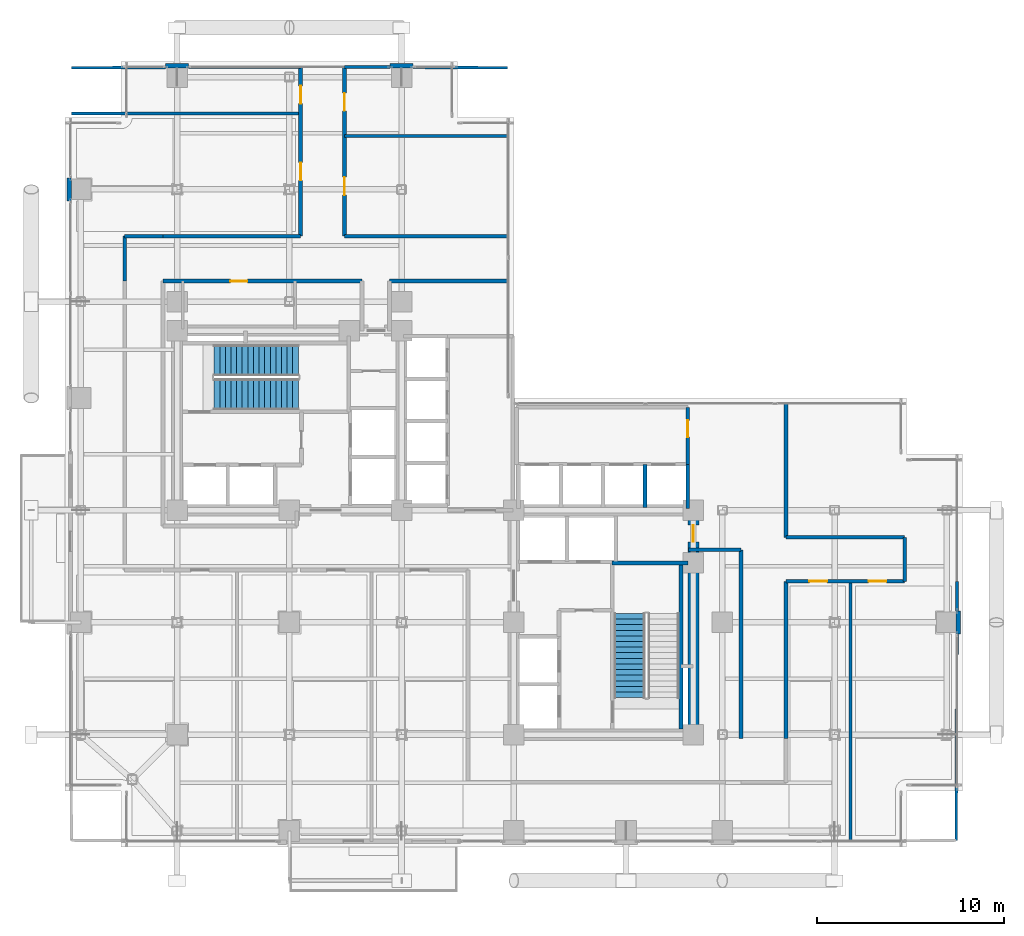
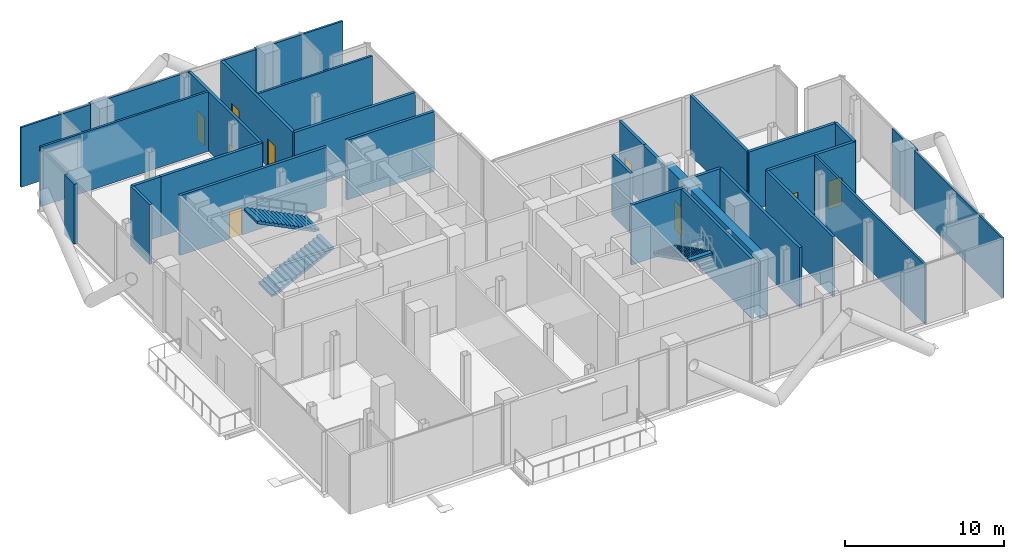
# One storey, part 20 of 25: 34 walls, 9 doors, 3 stair flights, 9 openings, 2 elements without a shape of their own.
"""IFC4 building model written with IfcOpenShell, lengths in metres."""

from ifc_helpers import new_model, si_unit, direction, frame, frame_2d, origin, place, context, subcontext, project, spatial, polyline, rectangle, outline, extrude, material, layer, layer_set, type_object, element, fill, aggregate, save


model = new_model("IFC4")

# Units and contexts
model_context = context("Model", 3, precision=1e-05, world=origin(), true_north=direction((0.0, 1.0)))
body_context = subcontext(model_context, "Body", "Model", "MODEL_VIEW")
ifc_project = project(units=[si_unit("LENGTHUNIT", "METRE"), si_unit("AREAUNIT", "SQUARE_METRE"), si_unit("VOLUMEUNIT", "CUBIC_METRE"), si_unit("PLANEANGLEUNIT", "RADIAN"), si_unit("MASSUNIT", "GRAM", prefix="KILO"), si_unit("THERMODYNAMICTEMPERATUREUNIT", "KELVIN"), si_unit("POWERUNIT", "WATT")], contexts=[model_context])

# Site, building, storey
site_placement = place(None, origin())
site = spatial("IfcSite", under=ifc_project, at=site_placement, CompositionType="ELEMENT")
building_placement = place(site_placement, origin())
building = spatial("IfcBuilding", under=site, at=building_placement, Name="Svarakhadi Broadcast Tower", CompositionType="ELEMENT")
storey_placement = place(building_placement, frame((0.0, 0.0, 110.85009765625)))
storey = spatial("IfcBuildingStorey", under=building, at=storey_placement, Name="L26", CompositionType="ELEMENT", Elevation=110.85009765625)

# Walls
ifc_material_1 = material(Name="Double-Stud Acoustic Studio Partition STC-62", Category="gypsum")
ifc_layer_1 = layer(ifc_material_1, 0.199951171875)
ifc_layer_set_1 = layer_set([ifc_layer_1], Name="Double-Stud Acoustic Studio Partition STC-62")
wall_type_1 = type_object("IfcWallType", Name="Wall_Acoust_200", PredefinedType="PARTITIONING", material=ifc_layer_set_1)
wall_1_placement = place(storey_placement, frame((36.14990234375, 5.800048828125, 0.0), z_axis=(0.0, 0.0, 1.0), x_axis=(0.0, 1.0, 0.0)))
element("IfcWall", 1, at=wall_1_placement, inside=storey, type_object=wall_type_1, Name="L26 Broadcast Corridor Wall", PredefinedType="PARTITIONING", context=body_context, shape_type="SweptSolid", body=[
    extrude(rectangle(XDim=10.079833984375, YDim=0.199951171875, at=frame_2d((5.0400390625, 0.0))), origin(), (0.0, 0.0, 1.0), 4.574951171875),
])
wall_2_placement = place(storey_placement, frame((36.14990234375, 15.8798828125, 0.0), z_axis=(0.0, 0.0, 1.0), x_axis=(-1.0, 0.0, 0.0)))
element("IfcWall", 2, at=wall_2_placement, inside=storey, type_object=wall_type_1, Name="L26 Broadcast Corridor Wall", PredefinedType="PARTITIONING", context=body_context, shape_type="SweptSolid", body=[
    extrude(rectangle(XDim=2.809814453125, YDim=0.199951171875, at=frame_2d((1.40478515625, 0.0))), origin(), (0.0, 0.0, 1.0), 4.574951171875),
])
wall_3_placement = place(storey_placement, frame((38.550048828125, 23.699951171875, 0.0), z_axis=(0.0, 0.0, 1.0), x_axis=(0.0, -1.0, 0.0)))
element("IfcWall", 3, at=wall_3_placement, inside=storey, type_object=wall_type_1, Name="L26 Broadcast Corridor Wall", PredefinedType="PARTITIONING", context=body_context, shape_type="SweptSolid", body=[
    extrude(rectangle(XDim=7.14990234375, YDim=0.199951171875, at=frame_2d((3.574951171875, 0.0))), origin(), (0.0, 0.0, 1.0), 4.574951171875),
])
wall_4_placement = place(storey_placement, frame((38.550048828125, 16.550048828125, 0.0), z_axis=(0.0, 0.0, 1.0), x_axis=(1.0, 0.0, 0.0)))
element("IfcWall", 4, at=wall_4_placement, inside=storey, type_object=wall_type_1, Name="L26 Broadcast Corridor Wall", PredefinedType="PARTITIONING", context=body_context, shape_type="SweptSolid", body=[
    extrude(rectangle(XDim=6.349853515625, YDim=0.199951171875, at=frame_2d((3.1748046875, 0.0))), origin(), (0.0, 0.0, 1.0), 4.574951171875),
])
wall_5_placement = place(storey_placement, frame((44.89990234375, 16.550048828125, 0.0), z_axis=(0.0, 0.0, 1.0), x_axis=(0.0, -1.0, 0.0)))
element("IfcWall", 5, at=wall_5_placement, inside=storey, type_object=wall_type_1, Name="L26 Broadcast Corridor Wall", PredefinedType="PARTITIONING", context=body_context, shape_type="SweptSolid", body=[
    extrude(rectangle(XDim=2.35009765625, YDim=0.199951171875, at=frame_2d((1.175048828125, 0.0))), origin(), (0.0, 0.0, 1.0), 4.574951171875),
])

# Wall, openings, doors
wall_6_placement = place(storey_placement, frame((44.89990234375, 14.199951171875, 0.0), z_axis=(0.0, 0.0, 1.0), x_axis=(-1.0, 0.0, 0.0)))
wall_6 = element("IfcWall", 6, at=wall_6_placement, inside=storey, type_object=wall_type_1, Name="L26 Broadcast Corridor Wall", PredefinedType="PARTITIONING", context=body_context, shape_type="SweptSolid", body=[
    extrude(rectangle(XDim=6.349853515625, YDim=0.199951171875, at=frame_2d((3.1748046875, 0.0))), origin(), (0.0, 0.0, 1.0), 4.574951171875),
])
opening_1_placement = place(wall_6_placement, frame((4.14990234375, 0.0, 0.0)))
opening_1 = element("IfcOpeningElement", 7, at=opening_1_placement, cuts=wall_6, Name="Opening D-06", PredefinedType="OPENING", context=body_context, shape_type="SweptSolid", body=[
    extrude(rectangle(XDim=0.949951171875, YDim=2.14990234375, at=frame_2d((0.47509765625, 1.074951171875))), frame((0.0, 0.10986328125, 0.0), z_axis=(0.0, -1.0, 0.0), x_axis=(1.0, 0.0, 0.0)), (0.0, 0.0, 1.0), 0.219970703125),
])
opening_2_placement = place(wall_6_placement, frame((0.97509765625, 0.0, 0.0)))
opening_2 = element("IfcOpeningElement", 8, at=opening_2_placement, cuts=wall_6, Name="Opening D-07", PredefinedType="OPENING", context=body_context, shape_type="SweptSolid", body=[
    extrude(rectangle(XDim=0.949951171875, YDim=2.14990234375, at=frame_2d((0.47509765625, 1.074951171875))), frame((0.0, 0.10986328125, 0.0), z_axis=(0.0, -1.0, 0.0), x_axis=(1.0, 0.0, 0.0)), (0.0, 0.0, 1.0), 0.219970703125),
])
ifc_material_2 = material(Name="Solid-Core Teak Veneer Acoustic Timber Leaf", Category="wood")
door_type_1 = type_object("IfcDoorType", Name="Door_Office_D06", OperationType="SINGLE_SWING_LEFT", PredefinedType="DOOR", material=ifc_material_2)
door_1_placement = place(opening_1_placement, origin())
door_1 = element("IfcDoor", 9, at=door_1_placement, inside=storey, type_object=door_type_1, Name="L26 L26 Broadcast Press Town-Hall Room Door", OperationType="SINGLE_SWING_LEFT", OverallHeight=2.14990234375, OverallWidth=0.949951171875, PredefinedType="DOOR", context=body_context, shape_type="SweptSolid", body=[
    extrude(rectangle(XDim=0.949951171875, YDim=2.14990234375, at=frame_2d((0.47509765625, 1.074951171875))), frame((0.0, 0.02490234375, 0.0), z_axis=(0.0, -1.0, 0.0), x_axis=(1.0, 0.0, 0.0)), (0.0, 0.0, 1.0), 0.050048828125),
])
fill(opening_1, door_1)
door_type_2 = type_object("IfcDoorType", Name="Door_Office_D07", OperationType="SINGLE_SWING_RIGHT", PredefinedType="DOOR", material=ifc_material_2)
door_2_placement = place(opening_2_placement, origin())
door_2 = element("IfcDoor", 10, at=door_2_placement, inside=storey, type_object=door_type_2, Name="L26 L26 Catering Preparation Kitchen Door", OperationType="SINGLE_SWING_RIGHT", OverallHeight=2.14990234375, OverallWidth=0.949951171875, PredefinedType="DOOR", context=body_context, shape_type="SweptSolid", body=[
    extrude(rectangle(XDim=0.949951171875, YDim=2.14990234375, at=frame_2d((0.47509765625, 1.074951171875))), frame((0.0, 0.02490234375, 0.0), z_axis=(0.0, -1.0, 0.0), x_axis=(1.0, 0.0, 0.0)), (0.0, 0.0, 1.0), 0.050048828125),
])
fill(opening_2, door_2)

# Walls
wall_7_placement = place(storey_placement, frame((38.550048828125, 14.199951171875, 0.0), z_axis=(0.0, 0.0, 1.0), x_axis=(0.0, -1.0, 0.0)))
element("IfcWall", 11, at=wall_7_placement, inside=storey, type_object=wall_type_1, Name="L26 Broadcast Corridor Wall", PredefinedType="PARTITIONING", context=body_context, shape_type="SweptSolid", body=[
    extrude(rectangle(XDim=8.39990234375, YDim=0.199951171875, at=frame_2d((4.199951171875, 0.0))), origin(), (0.0, 0.0, 1.0), 4.574951171875),
])
wall_8_placement = place(storey_placement, frame((3.199951171875, 30.25, 0.0), z_axis=(0.0, 0.0, 1.0), x_axis=(0.0, 1.0, 0.0)))
element("IfcWall", 12, at=wall_8_placement, inside=storey, type_object=wall_type_1, Name="L26 Broadcast Corridor Wall", PredefinedType="PARTITIONING", context=body_context, shape_type="SweptSolid", body=[
    extrude(rectangle(XDim=2.39990234375, YDim=0.199951171875, at=frame_2d((1.199951171875, 0.0))), origin(), (0.0, 0.0, 1.0), 4.574951171875),
])
wall_9_placement = place(storey_placement, frame((3.199951171875, 32.64990234375, 0.0), z_axis=(0.0, 0.0, 1.0), x_axis=(1.0, 0.0, 0.0)))
element("IfcWall", 13, at=wall_9_placement, inside=storey, type_object=wall_type_1, Name="L26 Broadcast Corridor Wall", PredefinedType="PARTITIONING", context=body_context, shape_type="SweptSolid", body=[
    extrude(rectangle(XDim=2.050048828125, YDim=0.199951171875, at=frame_2d((1.02490234375, 0.0))), origin(), (0.0, 0.0, 1.0), 4.574951171875),
])
wall_10_placement = place(storey_placement, frame((5.25, 32.64990234375, 0.0), z_axis=(0.0, 0.0, 1.0), x_axis=(1.0, 0.0, 0.0)))
element("IfcWall", 14, at=wall_10_placement, inside=storey, type_object=wall_type_1, Name="L26 Broadcast Corridor Wall", PredefinedType="PARTITIONING", context=body_context, shape_type="SweptSolid", body=[
    extrude(rectangle(XDim=7.35009765625, YDim=0.199951171875, at=frame_2d((3.675048828125, 0.0))), origin(), (0.0, 0.0, 1.0), 4.574951171875),
])

# Wall, openings, doors
wall_11_placement = place(storey_placement, frame((12.60009765625, 32.64990234375, 0.0), z_axis=(0.0, 0.0, 1.0), x_axis=(0.0, 1.0, 0.0)))
wall_11 = element("IfcWall", 15, at=wall_11_placement, inside=storey, type_object=wall_type_1, Name="L26 Broadcast Corridor Wall", PredefinedType="PARTITIONING", context=body_context, shape_type="SweptSolid", body=[
    extrude(rectangle(XDim=9.050048828125, YDim=0.199951171875, at=frame_2d((4.52490234375, 0.0))), origin(), (0.0, 0.0, 1.0), 4.574951171875),
])
opening_3_placement = place(wall_11_placement, frame((2.97998046875, 0.0, 0.0)))
opening_3 = element("IfcOpeningElement", 16, at=opening_3_placement, cuts=wall_11, Name="Opening D-07", PredefinedType="OPENING", context=body_context, shape_type="SweptSolid", body=[
    extrude(rectangle(XDim=0.949951171875, YDim=2.14990234375, at=frame_2d((0.47509765625, 1.074951171875))), frame((0.0, 0.10986328125, 0.0), z_axis=(0.0, -1.0, 0.0), x_axis=(1.0, 0.0, 0.0)), (0.0, 0.0, 1.0), 0.219970703125),
])
opening_4_placement = place(wall_11_placement, frame((7.080078125, 0.0, 0.0)))
opening_4 = element("IfcOpeningElement", 17, at=opening_4_placement, cuts=wall_11, Name="Opening D-06", PredefinedType="OPENING", context=body_context, shape_type="SweptSolid", body=[
    extrude(rectangle(XDim=0.949951171875, YDim=2.14990234375, at=frame_2d((0.47509765625, 1.074951171875))), frame((0.0, 0.10986328125, 0.0), z_axis=(0.0, -1.0, 0.0), x_axis=(1.0, 0.0, 0.0)), (0.0, 0.0, 1.0), 0.219970703125),
])
door_3_placement = place(opening_4_placement, origin())
door_3 = element("IfcDoor", 18, at=door_3_placement, inside=storey, type_object=door_type_1, Name="L26 L26 Broadcast Operations Office Door", OperationType="SINGLE_SWING_LEFT", OverallHeight=2.14990234375, OverallWidth=0.949951171875, PredefinedType="DOOR", context=body_context, shape_type="SweptSolid", body=[
    extrude(rectangle(XDim=0.949951171875, YDim=2.14990234375, at=frame_2d((0.47509765625, 1.074951171875))), frame((0.0, 0.02490234375, 0.0), z_axis=(0.0, -1.0, 0.0), x_axis=(1.0, 0.0, 0.0)), (0.0, 0.0, 1.0), 0.050048828125),
])
fill(opening_4, door_3)
door_4_placement = place(opening_3_placement, origin())
door_4 = element("IfcDoor", 19, at=door_4_placement, inside=storey, type_object=door_type_2, Name="L26 L26 Staff Wellness Quiet Lounge Door", OperationType="SINGLE_SWING_RIGHT", OverallHeight=2.14990234375, OverallWidth=0.949951171875, PredefinedType="DOOR", context=body_context, shape_type="SweptSolid", body=[
    extrude(rectangle(XDim=0.949951171875, YDim=2.14990234375, at=frame_2d((0.47509765625, 1.074951171875))), frame((0.0, 0.02490234375, 0.0), z_axis=(0.0, -1.0, 0.0), x_axis=(1.0, 0.0, 0.0)), (0.0, 0.0, 1.0), 0.050048828125),
])
fill(opening_3, door_4)

wall_12_placement = place(storey_placement, frame((14.949951171875, 41.699951171875, 0.0), z_axis=(0.0, 0.0, 1.0), x_axis=(0.0, -1.0, 0.0)))
wall_12 = element("IfcWall", 20, at=wall_12_placement, inside=storey, type_object=wall_type_1, Name="L26 Broadcast Corridor Wall", PredefinedType="PARTITIONING", context=body_context, shape_type="SweptSolid", body=[
    extrude(rectangle(XDim=9.050048828125, YDim=0.199951171875, at=frame_2d((4.52490234375, 0.0))), origin(), (0.0, 0.0, 1.0), 4.574951171875),
])
opening_5_placement = place(wall_12_placement, frame((5.89990234375, 0.0, 0.0)))
opening_5 = element("IfcOpeningElement", 21, at=opening_5_placement, cuts=wall_12, Name="Opening D-07", PredefinedType="OPENING", context=body_context, shape_type="SweptSolid", body=[
    extrude(rectangle(XDim=0.949951171875, YDim=2.14990234375, at=frame_2d((0.47509765625, 1.074951171875))), frame((0.0, 0.10986328125, 0.0), z_axis=(0.0, -1.0, 0.0), x_axis=(1.0, 0.0, 0.0)), (0.0, 0.0, 1.0), 0.219970703125),
])
opening_6_placement = place(wall_12_placement, frame((1.39990234375, 0.0, 0.0)))
opening_6 = element("IfcOpeningElement", 22, at=opening_6_placement, cuts=wall_12, Name="Opening D-06", PredefinedType="OPENING", context=body_context, shape_type="SweptSolid", body=[
    extrude(rectangle(XDim=0.949951171875, YDim=2.14990234375, at=frame_2d((0.47509765625, 1.074951171875))), frame((0.0, 0.10986328125, 0.0), z_axis=(0.0, -1.0, 0.0), x_axis=(1.0, 0.0, 0.0)), (0.0, 0.0, 1.0), 0.219970703125),
])
door_5_placement = place(opening_6_placement, origin())
door_5 = element("IfcDoor", 23, at=door_5_placement, inside=storey, type_object=door_type_1, Name="L26 L26 Sky-Lobby Guest Services Office Door", OperationType="SINGLE_SWING_LEFT", OverallHeight=2.14990234375, OverallWidth=0.949951171875, PredefinedType="DOOR", context=body_context, shape_type="SweptSolid", body=[
    extrude(rectangle(XDim=0.949951171875, YDim=2.14990234375, at=frame_2d((0.47509765625, 1.074951171875))), frame((0.0, 0.02490234375, 0.0), z_axis=(0.0, -1.0, 0.0), x_axis=(1.0, 0.0, 0.0)), (0.0, 0.0, 1.0), 0.050048828125),
])
fill(opening_6, door_5)
door_6_placement = place(opening_5_placement, origin())
door_6 = element("IfcDoor", 24, at=door_6_placement, inside=storey, type_object=door_type_2, Name="L26 L26 Executive Briefing Room Door", OperationType="SINGLE_SWING_RIGHT", OverallHeight=2.14990234375, OverallWidth=0.949951171875, PredefinedType="DOOR", context=body_context, shape_type="SweptSolid", body=[
    extrude(rectangle(XDim=0.949951171875, YDim=2.14990234375, at=frame_2d((0.47509765625, 1.074951171875))), frame((0.0, 0.02490234375, 0.0), z_axis=(0.0, -1.0, 0.0), x_axis=(1.0, 0.0, 0.0)), (0.0, 0.0, 1.0), 0.050048828125),
])
fill(opening_5, door_6)

# Walls
wall_13_placement = place(storey_placement, frame((14.949951171875, 32.64990234375, 0.0), z_axis=(0.0, 0.0, 1.0), x_axis=(1.0, 0.0, 0.0)))
element("IfcWall", 25, at=wall_13_placement, inside=storey, type_object=wall_type_1, Name="L26 Broadcast Corridor Wall", PredefinedType="PARTITIONING", context=body_context, shape_type="SweptSolid", body=[
    extrude(rectangle(XDim=8.75, YDim=0.199951171875, at=frame_2d((4.375, 0.0))), origin(), (0.0, 0.0, 1.0), 4.574951171875),
])
wall_14_placement = place(storey_placement, frame((23.699951171875, 30.25, 0.0), z_axis=(0.0, 0.0, 1.0), x_axis=(-1.0, 0.0, 0.0)))
element("IfcWall", 26, at=wall_14_placement, inside=storey, type_object=wall_type_1, Name="L26 Broadcast Corridor Wall", PredefinedType="PARTITIONING", context=body_context, shape_type="SweptSolid", body=[
    extrude(rectangle(XDim=6.349853515625, YDim=0.199951171875, at=frame_2d((3.1748046875, 0.0))), origin(), (0.0, 0.0, 1.0), 4.574951171875),
])

# Wall, opening, door
wall_15_placement = place(storey_placement, frame((15.8798828125, 30.25, 0.0), z_axis=(0.0, 0.0, 1.0), x_axis=(-1.0, 0.0, 0.0)))
wall_15 = element("IfcWall", 27, at=wall_15_placement, inside=storey, type_object=wall_type_1, Name="L26 Broadcast Corridor Wall", PredefinedType="PARTITIONING", context=body_context, shape_type="SweptSolid", body=[
    extrude(rectangle(XDim=10.6298828125, YDim=0.199951171875, at=frame_2d((5.31494140625, 0.0))), origin(), (0.0, 0.0, 1.0), 4.574951171875),
])
opening_7_placement = place(wall_15_placement, frame((6.1298828125, 0.0, 0.0)))
opening_7 = element("IfcOpeningElement", 28, at=opening_7_placement, cuts=wall_15, Name="Opening D-13", PredefinedType="OPENING", context=body_context, shape_type="SweptSolid", body=[
    extrude(rectangle(XDim=0.89990234375, YDim=2.10009765625, at=frame_2d((0.449951171875, 1.050048828125))), frame((0.0, 0.10986328125, 0.0), z_axis=(0.0, -1.0, 0.0), x_axis=(1.0, 0.0, 0.0)), (0.0, 0.0, 1.0), 0.219970703125),
])
door_type_3 = type_object("IfcDoorType", Name="Door_Closet_D13", OperationType="SINGLE_SWING_RIGHT", PredefinedType="DOOR", material=ifc_material_2)
door_7_placement = place(opening_7_placement, origin())
door_7 = element("IfcDoor", 29, at=door_7_placement, inside=storey, type_object=door_type_3, Name="L26 Accessible Toilet WC Door", OperationType="SINGLE_SWING_RIGHT", OverallHeight=2.10009765625, OverallWidth=0.89990234375, PredefinedType="DOOR", context=body_context, shape_type="SweptSolid", body=[
    extrude(rectangle(XDim=0.89990234375, YDim=2.10009765625, at=frame_2d((0.449951171875, 1.050048828125))), frame((0.0, 0.02490234375, 0.0), z_axis=(0.0, -1.0, 0.0), x_axis=(1.0, 0.0, 0.0)), (0.0, 0.0, 1.0), 0.050048828125),
])
fill(opening_7, door_7)

# Walls
ifc_material_3 = material(Name="Concrete C40/50 (IS 456 M50)", Category="concrete")
ifc_layer_2 = layer(ifc_material_3, 0.239990234375)
ifc_layer_set_2 = layer_set([ifc_layer_2], Name="Concrete C40/50 (IS 456 M50)")
wall_type_2 = type_object("IfcWallType", Name="Wall_Ext_240", PredefinedType="SOLIDWALL", material=ifc_layer_set_2)
for number, where, z_axis, x_axis, name in (
    (30, (0.239990234375, 34.534912109375, 0.0), (0.0, 0.0, 1.0), (0.0, 1.0, 0.0), "L26 Perimeter Bronze Spandrel Closure Wall 03"),
    (31, (5.385009765625, 41.760009765625, 0.0), (0.0, 0.0, 1.0), (1.0, 0.0, 0.0), "L26 Perimeter Bronze Spandrel Closure Wall 04"),
    (32, (17.385009765625, 41.760009765625, 0.0), (0.0, 0.0, 1.0), (1.0, 0.0, 0.0), "L26 Perimeter Bronze Spandrel Closure Wall 05"),
    (33, (47.760009765625, 12.614990234375, 0.0), (0.0, 0.0, 1.0), (0.0, -1.0, 0.0), "L26 Perimeter Bronze Spandrel Closure Wall 06"),
):
    element("IfcWall", number, at=place(storey_placement, frame(where, z_axis=z_axis, x_axis=x_axis)), inside=storey, type_object=wall_type_2, Name=name, PredefinedType="SOLIDWALL", context=body_context, shape_type="SweptSolid", body=[
        extrude(rectangle(XDim=1.22998046875, YDim=0.239990234375, at=frame_2d((0.614990234375, 0.0))), origin(), (0.0, 0.0, 1.0), 4.574951171875),
    ])
ifc_material_4 = material(Name="Autoclaved Aerated Concrete Blockwork 150 mm", Category="masonry")
ifc_layer_3 = layer(ifc_material_4, 0.14990234375)
ifc_layer_set_3 = layer_set([ifc_layer_3], Name="Autoclaved Aerated Concrete Blockwork 150 mm")
wall_type_3 = type_object("IfcWallType", Name="Wall_Part_150", PredefinedType="PARTITIONING", material=ifc_layer_set_3)
wall_16_placement = place(storey_placement, frame((42.0, 0.300048828125, 0.0), z_axis=(0.0, 0.0, 1.0), x_axis=(0.0, 1.0, 0.0)))
element("IfcWall", 34, at=wall_16_placement, inside=storey, type_object=wall_type_3, Name="L26 L26 Broadcast Press Town-Hall Room Wall", PredefinedType="PARTITIONING", context=body_context, shape_type="SweptSolid", body=[
    extrude(rectangle(XDim=13.89990234375, YDim=0.14990234375, at=frame_2d((6.949951171875, 0.0))), origin(), (0.0, 0.0, 1.0), 4.574951171875),
])
wall_17_placement = place(storey_placement, frame((47.64990234375, 0.35009765625, 0.0), z_axis=(0.0, 0.0, 1.0), x_axis=(0.003606251025, 0.999993497456, 0.0)))
element("IfcWall", 35, at=wall_17_placement, inside=storey, type_object=wall_type_3, Name="L26 L26 Catering Preparation Kitchen Wall", PredefinedType="PARTITIONING", context=body_context, shape_type="SweptSolid", body=[
    extrude(rectangle(XDim=11.034912109375, YDim=0.14990234375, at=frame_2d((5.517578125, 0.0))), origin(), (0.0, 0.0, 1.0), 4.574951171875),
])
wall_18_placement = place(storey_placement, frame((47.6943359375, 12.614990234375, 0.0), z_axis=(0.0, 0.0, 1.0), x_axis=(0.003542799701, 0.999993724265, 0.0)))
element("IfcWall", 36, at=wall_18_placement, inside=storey, type_object=wall_type_3, Name="L26 L26 Catering Preparation Kitchen Wall", PredefinedType="PARTITIONING", context=body_context, shape_type="SweptSolid", body=[
    extrude(rectangle(XDim=1.5849609375, YDim=0.14990234375, at=frame_2d((0.79248046875, 0.0))), origin(), (0.0, 0.0, 1.0), 4.574951171875),
])
wall_19_placement = place(storey_placement, frame((0.35009765625, 39.199951171875, 0.0), z_axis=(0.0, 0.0, 1.0), x_axis=(1.0, 0.0, 0.0)))
element("IfcWall", 37, at=wall_19_placement, inside=storey, type_object=wall_type_3, Name="L26 L26 Staff Wellness Quiet Lounge Wall", PredefinedType="PARTITIONING", context=body_context, shape_type="SweptSolid", body=[
    extrude(rectangle(XDim=12.25, YDim=0.14990234375, at=frame_2d((6.125, 0.0))), origin(), (0.0, 0.0, 1.0), 4.574951171875),
])
wall_20_placement = place(storey_placement, frame((0.35009765625, 41.64990234375, 0.0), z_axis=(0.0, 0.0, 1.0), x_axis=(0.999991506266, 0.004121576785, 0.0)))
element("IfcWall", 38, at=wall_20_placement, inside=storey, type_object=wall_type_3, Name="L26 L26 Broadcast Operations Office Wall", PredefinedType="PARTITIONING", context=body_context, shape_type="SweptSolid", body=[
    extrude(rectangle(XDim=5.034912109375, YDim=0.14990234375, at=frame_2d((2.517578125, 0.0))), origin(), (0.0, 0.0, 1.0), 4.574951171875),
])
wall_21_placement = place(storey_placement, frame((6.614990234375, 41.675537109375, 0.0), z_axis=(0.0, 0.0, 1.0), x_axis=(0.999991680432, 0.004079101287, 0.0)))
element("IfcWall", 39, at=wall_21_placement, inside=storey, type_object=wall_type_3, Name="L26 L26 Broadcast Operations Office Wall", PredefinedType="PARTITIONING", context=body_context, shape_type="SweptSolid", body=[
    extrude(rectangle(XDim=5.985107421875, YDim=0.14990234375, at=frame_2d((2.99267578125, 0.0))), origin(), (0.0, 0.0, 1.0), 4.574951171875),
])
wall_22_placement = place(storey_placement, frame((14.949951171875, 38.0, 0.0), z_axis=(0.0, 0.0, 1.0), x_axis=(1.0, 0.0, 0.0)))
element("IfcWall", 40, at=wall_22_placement, inside=storey, type_object=wall_type_3, Name="L26 L26 Executive Briefing Room Wall", PredefinedType="PARTITIONING", context=body_context, shape_type="SweptSolid", body=[
    extrude(rectangle(XDim=8.75, YDim=0.14990234375, at=frame_2d((4.375, 0.0))), origin(), (0.0, 0.0, 1.0), 4.116943359375),
])
wall_23_placement = place(storey_placement, frame((14.949951171875, 41.699951171875, 0.0), z_axis=(0.0, 0.0, 1.0), x_axis=(0.999983670595, -0.005714765312, 0.0)))
element("IfcWall", 41, at=wall_23_placement, inside=storey, type_object=wall_type_3, Name="L26 L26 Sky-Lobby Guest Services Office Wall", PredefinedType="PARTITIONING", context=body_context, shape_type="SweptSolid", body=[
    extrude(rectangle(XDim=2.43505859375, YDim=0.14990234375, at=frame_2d((1.217529296875, 0.0))), origin(), (0.0, 0.0, 1.0), 4.574951171875),
])
wall_24_placement = place(storey_placement, frame((18.614990234375, 41.678955078125, 0.0), z_axis=(0.0, 0.0, 1.0), x_axis=(0.999983352486, -0.005770160449, 0.0)))
element("IfcWall", 42, at=wall_24_placement, inside=storey, type_object=wall_type_3, Name="L26 L26 Sky-Lobby Guest Services Office Wall", PredefinedType="PARTITIONING", context=body_context, shape_type="SweptSolid", body=[
    extrude(rectangle(XDim=5.034912109375, YDim=0.14990234375, at=frame_2d((2.517578125, 0.0))), origin(), (0.0, 0.0, 1.0), 4.574951171875),
])
ifc_material_5 = material(Name="Concrete C50/60 (IS 456 M60)", Category="concrete")
ifc_layer_4 = layer(ifc_material_5, 0.199951171875)
ifc_layer_set_4 = layer_set([ifc_layer_4], Name="Concrete C50/60 (IS 456 M60)")
wall_type_4 = type_object("IfcWallType", Name="Wall_Shear_200", PredefinedType="SHEAR", material=ifc_layer_set_4)
wall_25_placement = place(storey_placement, frame((32.93994140625, 6.300048828125, 0.0), z_axis=(0.0, 0.0, 1.0), x_axis=(0.0, 1.0, 0.0)))
element("IfcWall", 43, at=wall_25_placement, inside=storey, type_object=wall_type_4, Name="L26 Stair ST-02 East RC Shaft Wall", PredefinedType="SHEAR", context=body_context, shape_type="SweptSolid", body=[
    extrude(rectangle(XDim=8.8798828125, YDim=0.199951171875, at=frame_2d((4.43994140625, 0.0))), origin(), (0.0, 0.0, 1.0), 4.574951171875),
])
wall_26_placement = place(storey_placement, frame((29.260009765625, 15.179931640625, 0.0), z_axis=(0.0, 0.0, 1.0), x_axis=(1.0, 0.0, 0.0)))
element("IfcWall", 44, at=wall_26_placement, inside=storey, type_object=wall_type_4, Name="L26 Stair ST-02 North RC Shaft Wall", PredefinedType="SHEAR", context=body_context, shape_type="SweptSolid", body=[
    extrude(rectangle(XDim=4.0400390625, YDim=0.199951171875, at=frame_2d((2.02001953125, 0.0))), origin(), (0.0, 0.0, 1.0), 4.574951171875),
])
wall_27_placement = place(storey_placement, frame((33.300048828125, 18.10009765625, 0.0), z_axis=(0.0, 0.0, 1.0), x_axis=(0.0, 1.0, 0.0)))
element("IfcWall", 45, at=wall_27_placement, inside=storey, type_object=wall_type_4, Name="L26 Bank B East Shaft Wall", PredefinedType="SHEAR", context=body_context, shape_type="SweptSolid", body=[
    extrude(rectangle(XDim=2.349853515625, YDim=0.199951171875, at=frame_2d((1.1748046875, 0.0))), origin(), (0.0, 0.0, 1.0), 4.574951171875),
])
wall_28_placement = place(storey_placement, frame((31.02001953125, 18.14990234375, 0.0), z_axis=(0.0, 0.0, 1.0), x_axis=(0.0, 1.0, 0.0)))
element("IfcWall", 46, at=wall_28_placement, inside=storey, type_object=wall_type_4, Name="L26 Bank B Divider", PredefinedType="SHEAR", context=body_context, shape_type="SweptSolid", body=[
    extrude(rectangle(XDim=2.300048828125, YDim=0.199951171875, at=frame_2d((1.14990234375, 0.0))), origin(), (0.0, 0.0, 1.0), 4.574951171875),
])

# Wall, opening, door
wall_29_placement = place(storey_placement, frame((33.300048828125, 20.449951171875, 0.0), z_axis=(0.0, 0.0, 1.0), x_axis=(0.0, 1.0, 0.0)))
wall_29 = element("IfcWall", 47, at=wall_29_placement, inside=storey, type_object=wall_type_4, Name="L26 Bank B Lift Hall East Wall", PredefinedType="SHEAR", context=body_context, shape_type="SweptSolid", body=[
    extrude(rectangle(XDim=3.050048828125, YDim=0.199951171875, at=frame_2d((1.52490234375, 0.0))), origin(), (0.0, 0.0, 1.0), 4.574951171875),
])
opening_8_placement = place(wall_29_placement, frame((1.449951171875, 0.0, 0.0)))
opening_8 = element("IfcOpeningElement", 48, at=opening_8_placement, cuts=wall_29, Name="Opening D-04", PredefinedType="OPENING", context=body_context, shape_type="SweptSolid", body=[
    extrude(rectangle(XDim=0.89990234375, YDim=2.14990234375, at=frame_2d((0.449951171875, 1.074951171875))), frame((0.0, 0.10986328125, 0.0), z_axis=(0.0, -1.0, 0.0), x_axis=(1.0, 0.0, 0.0)), (0.0, 0.0, 1.0), 0.219970703125),
])
ifc_material_6 = material(Name="Galvanised Powder-Coated Fire-Rated Steel Leaf", Category="steel")
door_type_4 = type_object("IfcDoorType", Name="Door_Fire_D04", OperationType="SINGLE_SWING_RIGHT", PredefinedType="DOOR", material=ifc_material_6)
door_8_placement = place(opening_8_placement, origin())
door_8 = element("IfcDoor", 49, at=door_8_placement, inside=storey, type_object=door_type_4, Name="L26 Mid-Rise Lift Hall East Corridor Door", OperationType="SINGLE_SWING_RIGHT", OverallHeight=2.14990234375, OverallWidth=0.89990234375, PredefinedType="DOOR", context=body_context, shape_type="SweptSolid", body=[
    extrude(rectangle(XDim=0.89990234375, YDim=2.14990234375, at=frame_2d((0.449951171875, 1.074951171875))), frame((0.0, 0.02490234375, 0.0), z_axis=(0.0, -1.0, 0.0), x_axis=(1.0, 0.0, 0.0)), (0.0, 0.0, 1.0), 0.050048828125),
])
fill(opening_8, door_8)

ifc_material_7 = material(Name="Concrete C60/75 (IS 456 M70)", Category="concrete")
ifc_layer_5 = layer(ifc_material_7, 0.60009765625)
ifc_layer_set_5 = layer_set([ifc_layer_5], Name="Concrete C60/75 (IS 456 M70)")
wall_type_5 = type_object("IfcWallType", Name="Wall_Shear_600", PredefinedType="SHEAR", material=ifc_layer_set_5)
wall_30_placement = place(storey_placement, frame((33.60009765625, 6.0, 0.0), z_axis=(0.0, 0.0, 1.0), x_axis=(0.0, 1.0, 0.0)))
wall_30 = element("IfcWall", 50, at=wall_30_placement, inside=storey, type_object=wall_type_5, Name="L26 East Core East Shear Wall", PredefinedType="SHEAR", context=body_context, shape_type="SweptSolid", body=[
    extrude(rectangle(XDim=12.0, YDim=0.60009765625, at=frame_2d((6.0, 0.0))), origin(), (0.0, 0.0, 1.0), 4.574951171875),
])
opening_9_placement = place(wall_30_placement, frame((10.300048828125, 0.0, 0.0)))
opening_9 = element("IfcOpeningElement", 51, at=opening_9_placement, cuts=wall_30, Name="Opening D-03", PredefinedType="OPENING", context=body_context, shape_type="SweptSolid", body=[
    extrude(rectangle(XDim=0.89990234375, YDim=2.14990234375, at=frame_2d((0.449951171875, 1.074951171875))), frame((0.0, 0.31005859375, 0.0), z_axis=(0.0, -1.0, 0.0), x_axis=(1.0, 0.0, 0.0)), (0.0, 0.0, 1.0), 0.6201171875),
])
door_type_5 = type_object("IfcDoorType", Name="Door_Fire_D03", OperationType="SINGLE_SWING_LEFT", PredefinedType="DOOR", material=ifc_material_6)
door_9_placement = place(opening_9_placement, origin())
door_9 = element("IfcDoor", 52, at=door_9_placement, inside=storey, type_object=door_type_5, Name="L26 East Core Service Store Door", OperationType="SINGLE_SWING_LEFT", OverallHeight=2.14990234375, OverallWidth=0.89990234375, PredefinedType="DOOR", context=body_context, shape_type="SweptSolid", body=[
    extrude(rectangle(XDim=0.89990234375, YDim=2.14990234375, at=frame_2d((0.449951171875, 1.074951171875))), frame((0.0, 0.02490234375, 0.0), z_axis=(0.0, -1.0, 0.0), x_axis=(1.0, 0.0, 0.0)), (0.0, 0.0, 1.0), 0.050048828125),
])
fill(opening_9, door_9)

# Stair, stair flights
stair_type = type_object("IfcStairType", Name="Stair_Exit_Core", PredefinedType="HALF_TURN_STAIR", material=ifc_material_3)
stair_1_placement = place(storey_placement, origin())
stair_1 = element("IfcStair", 53, at=stair_1_placement, inside=storey, type_object=stair_type, Name="L26 West Core Protected Exit Stair ST-01", PredefinedType="HALF_TURN_STAIR")
stair_flight_type = type_object("IfcStairFlightType", Name="Flight_RC_1680", PredefinedType="STRAIGHT", material=ifc_material_3)
stair_flight_1_placement = place(storey_placement, frame((7.97998046875, 24.18994140625, 0.0), z_axis=(0.0, 0.0, 1.0), x_axis=(1.0, 0.0, 0.0)))
stair_flight_1 = element("IfcStairFlight", 54, at=stair_flight_1_placement, type_object=stair_flight_type, Name="ST-01 flight 1", NumberOfRisers=16, NumberOfTreads=15, PredefinedType="STRAIGHT", RiserHeight=0.15, TreadLength=0.3, context=body_context, shape_type="SweptSolid", body=[
    extrude(outline(polyline([(0.0, 0.0), (0.0, 0.14990234375), (0.300048828125, 0.14990234375), (0.300048828125, 0.300048828125), (0.60009765625, 0.300048828125), (0.60009765625, 0.449951171875), (0.89990234375, 0.449951171875), (0.89990234375, 0.60009765625), (1.199951171875, 0.60009765625), (1.199951171875, 0.75), (1.5, 0.75), (1.5, 0.89990234375), (1.800048828125, 0.89990234375), (1.800048828125, 1.050048828125), (2.10009765625, 1.050048828125), (2.10009765625, 1.199951171875), (2.39990234375, 1.199951171875), (2.39990234375, 1.35009765625), (2.699951171875, 1.35009765625), (2.699951171875, 1.5), (3.0, 1.5), (3.0, 1.64990234375), (3.300048828125, 1.64990234375), (3.300048828125, 1.800048828125), (3.60009765625, 1.800048828125), (3.60009765625, 1.949951171875), (3.89990234375, 1.949951171875), (3.89990234375, 2.10009765625), (4.199951171875, 2.10009765625), (4.199951171875, 2.25), (4.5, 2.25), (4.5, 2.39990234375), (4.5, 2.08251953125), (0.335205078125, 0.0), (0.0, 0.0)])), frame((0.0, 0.830078125, 0.0), z_axis=(0.0, -1.0, 0.0), x_axis=(1.0, 0.0, 0.0)), (0.0, 0.0, 1.0), 1.659912109375),
])
stair_flight_2_placement = place(storey_placement, frame((12.47998046875, 26.010009765625, 2.39990234375), z_axis=(0.0, 0.0, 1.0), x_axis=(-1.0, 0.0, 0.0)))
stair_flight_2 = element("IfcStairFlight", 55, at=stair_flight_2_placement, type_object=stair_flight_type, Name="ST-01 flight 2", NumberOfRisers=16, NumberOfTreads=15, PredefinedType="STRAIGHT", RiserHeight=0.15, TreadLength=0.3, context=body_context, shape_type="SweptSolid", body=[
    extrude(outline(polyline([(0.0, 0.0), (0.0, 0.14990234375), (0.300048828125, 0.14990234375), (0.300048828125, 0.300048828125), (0.60009765625, 0.300048828125), (0.60009765625, 0.449951171875), (0.89990234375, 0.449951171875), (0.89990234375, 0.60009765625), (1.199951171875, 0.60009765625), (1.199951171875, 0.75), (1.5, 0.75), (1.5, 0.89990234375), (1.800048828125, 0.89990234375), (1.800048828125, 1.050048828125), (2.10009765625, 1.050048828125), (2.10009765625, 1.199951171875), (2.39990234375, 1.199951171875), (2.39990234375, 1.35009765625), (2.699951171875, 1.35009765625), (2.699951171875, 1.5), (3.0, 1.5), (3.0, 1.64990234375), (3.300048828125, 1.64990234375), (3.300048828125, 1.800048828125), (3.60009765625, 1.800048828125), (3.60009765625, 1.949951171875), (3.89990234375, 1.949951171875), (3.89990234375, 2.10009765625), (4.199951171875, 2.10009765625), (4.199951171875, 2.25), (4.5, 2.25), (4.5, 2.39990234375), (4.5, 2.08251953125), (0.335205078125, 0.0), (0.0, 0.0)])), frame((0.0, 0.830078125, 0.0), z_axis=(0.0, -1.0, 0.0), x_axis=(1.0, 0.0, 0.0)), (0.0, 0.0, 1.0), 1.659912109375),
])
aggregate(stair_1, [stair_flight_1, stair_flight_2])

# Stair, stair flight
stair_2_placement = place(storey_placement, origin())
stair_2 = element("IfcStair", 56, at=stair_2_placement, inside=storey, type_object=stair_type, Name="L26 East Core Protected Exit Stair ST-02", PredefinedType="HALF_TURN_STAIR")
stair_flight_3_placement = place(storey_placement, frame((30.18994140625, 12.47998046875, 2.39990234375), z_axis=(0.0, 0.0, 1.0), x_axis=(0.0, -1.0, 0.0)))
stair_flight_3 = element("IfcStairFlight", 57, at=stair_flight_3_placement, type_object=stair_flight_type, Name="ST-02 flight 2", NumberOfRisers=16, NumberOfTreads=15, PredefinedType="STRAIGHT", RiserHeight=0.15, TreadLength=0.3, context=body_context, shape_type="SweptSolid", body=[
    extrude(outline(polyline([(0.0, 0.0), (0.0, 0.14990234375), (0.300048828125, 0.14990234375), (0.300048828125, 0.300048828125), (0.60009765625, 0.300048828125), (0.60009765625, 0.449951171875), (0.89990234375, 0.449951171875), (0.89990234375, 0.60009765625), (1.199951171875, 0.60009765625), (1.199951171875, 0.75), (1.5, 0.75), (1.5, 0.89990234375), (1.800048828125, 0.89990234375), (1.800048828125, 1.050048828125), (2.10009765625, 1.050048828125), (2.10009765625, 1.199951171875), (2.39990234375, 1.199951171875), (2.39990234375, 1.35009765625), (2.699951171875, 1.35009765625), (2.699951171875, 1.5), (3.0, 1.5), (3.0, 1.64990234375), (3.300048828125, 1.64990234375), (3.300048828125, 1.800048828125), (3.60009765625, 1.800048828125), (3.60009765625, 1.949951171875), (3.89990234375, 1.949951171875), (3.89990234375, 2.10009765625), (4.199951171875, 2.10009765625), (4.199951171875, 2.25), (4.5, 2.25), (4.5, 2.39990234375), (4.5, 2.08251953125), (0.335205078125, 0.0), (0.0, 0.0)])), frame((0.0, 0.830078125, 0.0), z_axis=(0.0, -1.0, 0.0), x_axis=(1.0, 0.0, 0.0)), (0.0, 0.0, 1.0), 1.659912109375),
])
aggregate(stair_2, [stair_flight_3])

save(model, "model.ifc")
